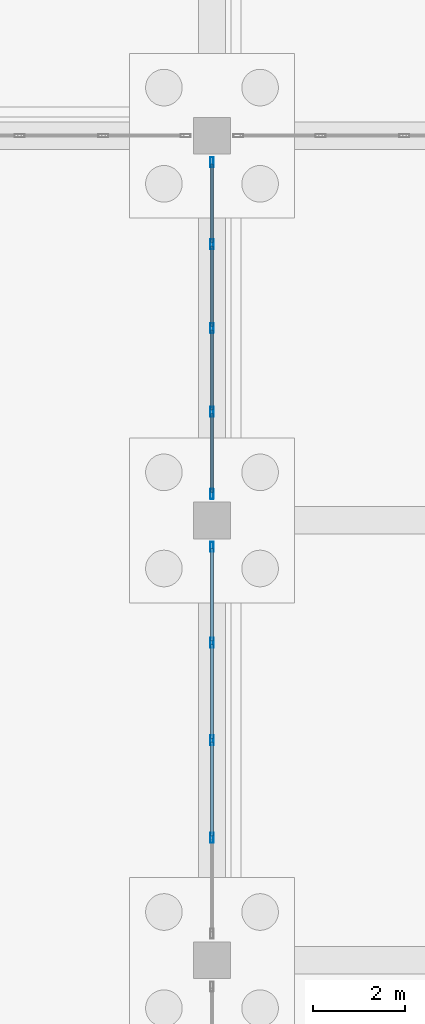
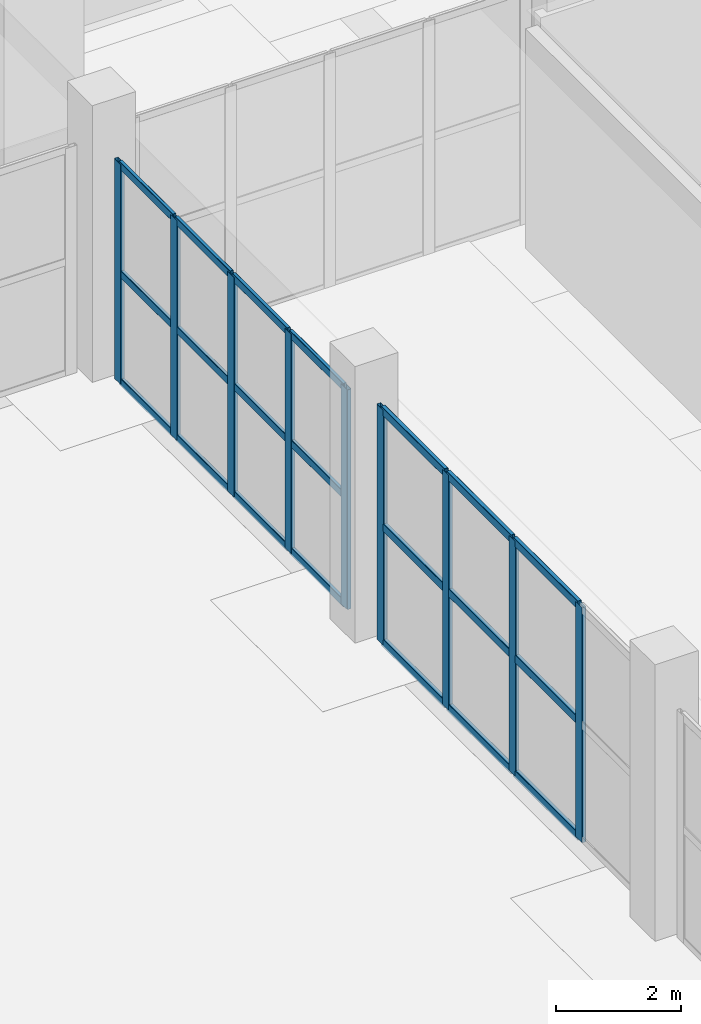
# One storey, part 22 of 65: 30 members, 2 elements without a shape of their own.
"""IFC4 building model written with IfcOpenShell, lengths in metres."""

from ifc_helpers import new_model, si_unit, direction, frame, origin, origin_2d, place, context, subcontext, project, spatial, hollow_rectangle, extrude, material, layer, layer_set, material_profile, profile_set, type_object, element, aggregate, save


model = new_model("IFC4")

# Units and contexts
model_context = context("Model", 3, precision=1e-05, world=origin(), true_north=direction((0.0, 1.0)))
body_context = subcontext(model_context, "Body", "Model", "MODEL_VIEW")
ifc_project = project(units=[si_unit("LENGTHUNIT", "METRE"), si_unit("AREAUNIT", "SQUARE_METRE"), si_unit("VOLUMEUNIT", "CUBIC_METRE"), si_unit("PLANEANGLEUNIT", "RADIAN"), si_unit("MASSUNIT", "GRAM", prefix="KILO")], contexts=[model_context])

# Site, building, storey
site_placement = place(None, origin())
site = spatial("IfcSite", under=ifc_project, at=site_placement, CompositionType="ELEMENT")
building_placement = place(site_placement, origin())
building = spatial("IfcBuilding", under=site, at=building_placement, Name="Zulmaris Art Gallery", CompositionType="ELEMENT")
storey_placement = place(building_placement, origin())
storey = spatial("IfcBuildingStorey", under=building, at=storey_placement, Name="L00", CompositionType="ELEMENT", Elevation=0.0)

# Curtain wall, members
ifc_material_1 = material(Name="Unitised Low-E Gallery Curtain Wall", Category="aluminium")
ifc_layer = layer(ifc_material_1, 0.179931640625)
ifc_layer_set = layer_set([ifc_layer], Name="Unitised Low-E Gallery Curtain Wall")
curtain_wall_type = type_object("IfcCurtainWallType", Name="CW-CW01", PredefinedType="NOTDEFINED", material=ifc_layer_set)
curtain_wall_1_placement = place(storey_placement, origin())
curtain_wall_1 = element("IfcCurtainWall", 1, at=curtain_wall_1_placement, inside=storey, type_object=curtain_wall_type, Name="L00 curtain wall 92", PredefinedType="NOTDEFINED")
ifc_material_2 = material(Name="Anodised Bronze Aluminium", Category="aluminium")
ifc_material_profile_1 = material_profile(ifc_material_2, hollow_rectangle(XDim=0.074951171875, YDim=0.219970703125, WallThickness=0.0048828125, InnerFilletRadius=0.007568359375, OuterFilletRadius=0.012451171875, at=origin_2d()), Name="ALU 75x220x5")
ifc_profile_set_1 = profile_set([ifc_material_profile_1], Name="Anodised Bronze Aluminium")
member_type_1 = type_object("IfcMemberType", Name="CWMUL-02", PredefinedType="MULLION", material=ifc_profile_set_1)
member_1_placement = place(storey_placement, frame((124.800048828125, 43.469970703125, 0.0), z_axis=(0.0, 0.0, 1.0), x_axis=(-1.0, 0.0, 0.0)))
member_1 = element("IfcMember", 2, at=member_1_placement, type_object=member_type_1, Name="CW01 mullion 2", PredefinedType="MULLION", context=body_context, shape_type="SweptSolid", body=[
    extrude(hollow_rectangle(XDim=0.074951171875, YDim=0.219970703125, WallThickness=0.0048828125, InnerFilletRadius=0.007568359375, OuterFilletRadius=0.012451171875, at=origin_2d()), origin(), (0.0, 0.0, 1.0), 4.590087890625),
])
member_2_placement = place(storey_placement, frame((124.800048828125, 45.60009765625, 0.0), z_axis=(0.0, 0.0, 1.0), x_axis=(-1.0, 0.0, 0.0)))
member_2 = element("IfcMember", 3, at=member_2_placement, type_object=member_type_1, Name="CW01 mullion 3", PredefinedType="MULLION", context=body_context, shape_type="SweptSolid", body=[
    extrude(hollow_rectangle(XDim=0.074951171875, YDim=0.219970703125, WallThickness=0.0048828125, InnerFilletRadius=0.007568359375, OuterFilletRadius=0.012451171875, at=origin_2d()), origin(), (0.0, 0.0, 1.0), 4.590087890625),
])
member_3_placement = place(storey_placement, frame((124.800048828125, 47.72998046875, 0.0), z_axis=(0.0, 0.0, 1.0), x_axis=(-1.0, 0.0, 0.0)))
member_3 = element("IfcMember", 4, at=member_3_placement, type_object=member_type_1, Name="CW01 mullion 4", PredefinedType="MULLION", context=body_context, shape_type="SweptSolid", body=[
    extrude(hollow_rectangle(XDim=0.074951171875, YDim=0.219970703125, WallThickness=0.0048828125, InnerFilletRadius=0.007568359375, OuterFilletRadius=0.012451171875, at=origin_2d()), origin(), (0.0, 0.0, 1.0), 4.590087890625),
])
member_4_placement = place(storey_placement, frame((124.800048828125, 49.822509765625, 0.0), z_axis=(0.0, 0.0, 1.0), x_axis=(-1.0, 0.0, 0.0)))
member_4 = element("IfcMember", 5, at=member_4_placement, type_object=member_type_1, Name="CW01 mullion 5", PredefinedType="MULLION", context=body_context, shape_type="SweptSolid", body=[
    extrude(hollow_rectangle(XDim=0.074951171875, YDim=0.219970703125, WallThickness=0.0048828125, InnerFilletRadius=0.007568359375, OuterFilletRadius=0.012451171875, at=origin_2d()), origin(), (0.0, 0.0, 1.0), 4.590087890625),
])

curtain_wall_2_placement = place(storey_placement, origin())
curtain_wall_2 = element("IfcCurtainWall", 6, at=curtain_wall_2_placement, inside=storey, type_object=curtain_wall_type, Name="L00 curtain wall 93", PredefinedType="NOTDEFINED")
member_5_placement = place(storey_placement, frame((124.800048828125, 50.9775390625, 0.0), z_axis=(0.0, 0.0, 1.0), x_axis=(-1.0, 0.0, 0.0)))
member_5 = element("IfcMember", 7, at=member_5_placement, type_object=member_type_1, Name="CW01 mullion 1", PredefinedType="MULLION", context=body_context, shape_type="SweptSolid", body=[
    extrude(hollow_rectangle(XDim=0.074951171875, YDim=0.219970703125, WallThickness=0.0048828125, InnerFilletRadius=0.007568359375, OuterFilletRadius=0.012451171875, at=origin_2d()), origin(), (0.0, 0.0, 1.0), 4.2900390625),
])
member_6_placement = place(storey_placement, frame((124.800048828125, 52.77001953125, 0.0), z_axis=(0.0, 0.0, 1.0), x_axis=(-1.0, 0.0, 0.0)))
member_6 = element("IfcMember", 8, at=member_6_placement, type_object=member_type_1, Name="CW01 mullion 2", PredefinedType="MULLION", context=body_context, shape_type="SweptSolid", body=[
    extrude(hollow_rectangle(XDim=0.074951171875, YDim=0.219970703125, WallThickness=0.0048828125, InnerFilletRadius=0.007568359375, OuterFilletRadius=0.012451171875, at=origin_2d()), origin(), (0.0, 0.0, 1.0), 4.2900390625),
])
member_7_placement = place(storey_placement, frame((124.800048828125, 54.60009765625, 0.0), z_axis=(0.0, 0.0, 1.0), x_axis=(-1.0, 0.0, 0.0)))
member_7 = element("IfcMember", 9, at=member_7_placement, type_object=member_type_1, Name="CW01 mullion 3", PredefinedType="MULLION", context=body_context, shape_type="SweptSolid", body=[
    extrude(hollow_rectangle(XDim=0.074951171875, YDim=0.219970703125, WallThickness=0.0048828125, InnerFilletRadius=0.007568359375, OuterFilletRadius=0.012451171875, at=origin_2d()), origin(), (0.0, 0.0, 1.0), 4.2900390625),
])
member_8_placement = place(storey_placement, frame((124.800048828125, 56.429931640625, 0.0), z_axis=(0.0, 0.0, 1.0), x_axis=(-1.0, 0.0, 0.0)))
member_8 = element("IfcMember", 10, at=member_8_placement, type_object=member_type_1, Name="CW01 mullion 4", PredefinedType="MULLION", context=body_context, shape_type="SweptSolid", body=[
    extrude(hollow_rectangle(XDim=0.074951171875, YDim=0.219970703125, WallThickness=0.0048828125, InnerFilletRadius=0.007568359375, OuterFilletRadius=0.012451171875, at=origin_2d()), origin(), (0.0, 0.0, 1.0), 4.2900390625),
])
member_9_placement = place(storey_placement, frame((124.800048828125, 58.222412109375, 0.0), z_axis=(0.0, 0.0, 1.0), x_axis=(-1.0, 0.0, 0.0)))
member_9 = element("IfcMember", 11, at=member_9_placement, type_object=member_type_1, Name="CW01 mullion 5", PredefinedType="MULLION", context=body_context, shape_type="SweptSolid", body=[
    extrude(hollow_rectangle(XDim=0.074951171875, YDim=0.219970703125, WallThickness=0.0048828125, InnerFilletRadius=0.007568359375, OuterFilletRadius=0.012451171875, at=origin_2d()), origin(), (0.0, 0.0, 1.0), 4.2900390625),
])
ifc_material_profile_2 = material_profile(ifc_material_2, hollow_rectangle(XDim=0.06494140625, YDim=0.14990234375, WallThickness=0.00390625, InnerFilletRadius=0.006103515625, OuterFilletRadius=0.010009765625, at=origin_2d()), Name="ALU 65x150x4")
ifc_profile_set_2 = profile_set([ifc_material_profile_2], Name="Anodised Bronze Aluminium")
member_type_2 = type_object("IfcMemberType", Name="CWTRN-01", PredefinedType="USERDEFINED", material=ifc_profile_set_2)
member_10_placement = place(storey_placement, frame((124.800048828125, 51.014892578125, 0.03759765625), z_axis=(0.0, 1.0, 0.0), x_axis=(-1.0, 0.0, 0.0)))
member_10 = element("IfcMember", 12, at=member_10_placement, type_object=member_type_2, Name="CW01 transom 1.1", ObjectType="TRANSOM", PredefinedType="USERDEFINED", context=body_context, shape_type="SweptSolid", body=[
    extrude(hollow_rectangle(XDim=0.06494140625, YDim=0.14990234375, WallThickness=0.00390625, InnerFilletRadius=0.006103515625, OuterFilletRadius=0.010009765625, at=origin_2d()), origin(), (0.0, 0.0, 1.0), 1.717529296875),
])
member_11_placement = place(storey_placement, frame((124.800048828125, 51.014892578125, 2.14501953125), z_axis=(0.0, 1.0, 0.0), x_axis=(-1.0, 0.0, 0.0)))
member_11 = element("IfcMember", 13, at=member_11_placement, type_object=member_type_2, Name="CW01 transom 1.2", ObjectType="TRANSOM", PredefinedType="USERDEFINED", context=body_context, shape_type="SweptSolid", body=[
    extrude(hollow_rectangle(XDim=0.06494140625, YDim=0.14990234375, WallThickness=0.00390625, InnerFilletRadius=0.006103515625, OuterFilletRadius=0.010009765625, at=origin_2d()), origin(), (0.0, 0.0, 1.0), 1.717529296875),
])
member_12_placement = place(storey_placement, frame((124.800048828125, 51.014892578125, 4.25244140625), z_axis=(0.0, 1.0, 0.0), x_axis=(-1.0, 0.0, 0.0)))
member_12 = element("IfcMember", 14, at=member_12_placement, type_object=member_type_2, Name="CW01 transom 1.3", ObjectType="TRANSOM", PredefinedType="USERDEFINED", context=body_context, shape_type="SweptSolid", body=[
    extrude(hollow_rectangle(XDim=0.06494140625, YDim=0.14990234375, WallThickness=0.00390625, InnerFilletRadius=0.006103515625, OuterFilletRadius=0.010009765625, at=origin_2d()), origin(), (0.0, 0.0, 1.0), 1.717529296875),
])
member_13_placement = place(storey_placement, frame((124.800048828125, 52.8076171875, 0.03759765625), z_axis=(0.0, 1.0, 0.0), x_axis=(-1.0, 0.0, 0.0)))
member_13 = element("IfcMember", 15, at=member_13_placement, type_object=member_type_2, Name="CW01 transom 2.1", ObjectType="TRANSOM", PredefinedType="USERDEFINED", context=body_context, shape_type="SweptSolid", body=[
    extrude(hollow_rectangle(XDim=0.06494140625, YDim=0.14990234375, WallThickness=0.00390625, InnerFilletRadius=0.006103515625, OuterFilletRadius=0.010009765625, at=origin_2d()), origin(), (0.0, 0.0, 1.0), 1.7548828125),
])
member_14_placement = place(storey_placement, frame((124.800048828125, 52.8076171875, 2.14501953125), z_axis=(0.0, 1.0, 0.0), x_axis=(-1.0, 0.0, 0.0)))
member_14 = element("IfcMember", 16, at=member_14_placement, type_object=member_type_2, Name="CW01 transom 2.2", ObjectType="TRANSOM", PredefinedType="USERDEFINED", context=body_context, shape_type="SweptSolid", body=[
    extrude(hollow_rectangle(XDim=0.06494140625, YDim=0.14990234375, WallThickness=0.00390625, InnerFilletRadius=0.006103515625, OuterFilletRadius=0.010009765625, at=origin_2d()), origin(), (0.0, 0.0, 1.0), 1.7548828125),
])
member_15_placement = place(storey_placement, frame((124.800048828125, 52.8076171875, 4.25244140625), z_axis=(0.0, 1.0, 0.0), x_axis=(-1.0, 0.0, 0.0)))
member_15 = element("IfcMember", 17, at=member_15_placement, type_object=member_type_2, Name="CW01 transom 2.3", ObjectType="TRANSOM", PredefinedType="USERDEFINED", context=body_context, shape_type="SweptSolid", body=[
    extrude(hollow_rectangle(XDim=0.06494140625, YDim=0.14990234375, WallThickness=0.00390625, InnerFilletRadius=0.006103515625, OuterFilletRadius=0.010009765625, at=origin_2d()), origin(), (0.0, 0.0, 1.0), 1.7548828125),
])
member_16_placement = place(storey_placement, frame((124.800048828125, 54.637451171875, 0.03759765625), z_axis=(0.0, 1.0, 0.0), x_axis=(-1.0, 0.0, 0.0)))
member_16 = element("IfcMember", 18, at=member_16_placement, type_object=member_type_2, Name="CW01 transom 3.1", ObjectType="TRANSOM", PredefinedType="USERDEFINED", context=body_context, shape_type="SweptSolid", body=[
    extrude(hollow_rectangle(XDim=0.06494140625, YDim=0.14990234375, WallThickness=0.00390625, InnerFilletRadius=0.006103515625, OuterFilletRadius=0.010009765625, at=origin_2d()), origin(), (0.0, 0.0, 1.0), 1.755126953125),
])
member_17_placement = place(storey_placement, frame((124.800048828125, 54.637451171875, 2.14501953125), z_axis=(0.0, 1.0, 0.0), x_axis=(-1.0, 0.0, 0.0)))
member_17 = element("IfcMember", 19, at=member_17_placement, type_object=member_type_2, Name="CW01 transom 3.2", ObjectType="TRANSOM", PredefinedType="USERDEFINED", context=body_context, shape_type="SweptSolid", body=[
    extrude(hollow_rectangle(XDim=0.06494140625, YDim=0.14990234375, WallThickness=0.00390625, InnerFilletRadius=0.006103515625, OuterFilletRadius=0.010009765625, at=origin_2d()), origin(), (0.0, 0.0, 1.0), 1.755126953125),
])
member_18_placement = place(storey_placement, frame((124.800048828125, 54.637451171875, 4.25244140625), z_axis=(0.0, 1.0, 0.0), x_axis=(-1.0, 0.0, 0.0)))
member_18 = element("IfcMember", 20, at=member_18_placement, type_object=member_type_2, Name="CW01 transom 3.3", ObjectType="TRANSOM", PredefinedType="USERDEFINED", context=body_context, shape_type="SweptSolid", body=[
    extrude(hollow_rectangle(XDim=0.06494140625, YDim=0.14990234375, WallThickness=0.00390625, InnerFilletRadius=0.006103515625, OuterFilletRadius=0.010009765625, at=origin_2d()), origin(), (0.0, 0.0, 1.0), 1.755126953125),
])
member_19_placement = place(storey_placement, frame((124.800048828125, 56.467529296875, 0.03759765625), z_axis=(0.0, 1.0, 0.0), x_axis=(-1.0, 0.0, 0.0)))
member_19 = element("IfcMember", 21, at=member_19_placement, type_object=member_type_2, Name="CW01 transom 4.1", ObjectType="TRANSOM", PredefinedType="USERDEFINED", context=body_context, shape_type="SweptSolid", body=[
    extrude(hollow_rectangle(XDim=0.06494140625, YDim=0.14990234375, WallThickness=0.00390625, InnerFilletRadius=0.006103515625, OuterFilletRadius=0.010009765625, at=origin_2d()), origin(), (0.0, 0.0, 1.0), 1.717529296875),
])
member_20_placement = place(storey_placement, frame((124.800048828125, 56.467529296875, 2.14501953125), z_axis=(0.0, 1.0, 0.0), x_axis=(-1.0, 0.0, 0.0)))
member_20 = element("IfcMember", 22, at=member_20_placement, type_object=member_type_2, Name="CW01 transom 4.2", ObjectType="TRANSOM", PredefinedType="USERDEFINED", context=body_context, shape_type="SweptSolid", body=[
    extrude(hollow_rectangle(XDim=0.06494140625, YDim=0.14990234375, WallThickness=0.00390625, InnerFilletRadius=0.006103515625, OuterFilletRadius=0.010009765625, at=origin_2d()), origin(), (0.0, 0.0, 1.0), 1.717529296875),
])
member_21_placement = place(storey_placement, frame((124.800048828125, 56.467529296875, 4.25244140625), z_axis=(0.0, 1.0, 0.0), x_axis=(-1.0, 0.0, 0.0)))
member_21 = element("IfcMember", 23, at=member_21_placement, type_object=member_type_2, Name="CW01 transom 4.3", ObjectType="TRANSOM", PredefinedType="USERDEFINED", context=body_context, shape_type="SweptSolid", body=[
    extrude(hollow_rectangle(XDim=0.06494140625, YDim=0.14990234375, WallThickness=0.00390625, InnerFilletRadius=0.006103515625, OuterFilletRadius=0.010009765625, at=origin_2d()), origin(), (0.0, 0.0, 1.0), 1.717529296875),
])
aggregate(curtain_wall_2, [member_5, member_6, member_7, member_8, member_9, member_10, member_11, member_12, member_13, member_14, member_15, member_16, member_17, member_18, member_19, member_20, member_21])

# Member
ifc_material_profile_3 = material_profile(ifc_material_2, hollow_rectangle(XDim=0.074951171875, YDim=0.159912109375, WallThickness=0.00390625, InnerFilletRadius=0.006103515625, OuterFilletRadius=0.010009765625, at=origin_2d()), Name="ALU 75x160x4")
ifc_profile_set_3 = profile_set([ifc_material_profile_3], Name="Anodised Bronze Aluminium")
member_type_3 = type_object("IfcMemberType", Name="CWTRN-02", PredefinedType="USERDEFINED", material=ifc_profile_set_3)
member_22_placement = place(storey_placement, frame((124.800048828125, 43.507568359375, 0.03759765625), z_axis=(0.0, 1.0, 0.0), x_axis=(-1.0, 0.0, 0.0)))
member_22 = element("IfcMember", 24, at=member_22_placement, type_object=member_type_3, Name="CW01 transom 2.1", ObjectType="TRANSOM", PredefinedType="USERDEFINED", context=body_context, shape_type="SweptSolid", body=[
    extrude(hollow_rectangle(XDim=0.074951171875, YDim=0.159912109375, WallThickness=0.00390625, InnerFilletRadius=0.006103515625, OuterFilletRadius=0.010009765625, at=origin_2d()), origin(), (0.0, 0.0, 1.0), 2.054931640625),
])

member_23_placement = place(storey_placement, frame((124.800048828125, 43.507568359375, 2.294921875), z_axis=(0.0, 1.0, 0.0), x_axis=(-1.0, 0.0, 0.0)))
member_23 = element("IfcMember", 25, at=member_23_placement, type_object=member_type_3, Name="CW01 transom 2.2", ObjectType="TRANSOM", PredefinedType="USERDEFINED", context=body_context, shape_type="SweptSolid", body=[
    extrude(hollow_rectangle(XDim=0.074951171875, YDim=0.159912109375, WallThickness=0.00390625, InnerFilletRadius=0.006103515625, OuterFilletRadius=0.010009765625, at=origin_2d()), origin(), (0.0, 0.0, 1.0), 2.054931640625),
])

member_24_placement = place(storey_placement, frame((124.800048828125, 43.507568359375, 4.552490234375), z_axis=(0.0, 1.0, 0.0), x_axis=(-1.0, 0.0, 0.0)))
member_24 = element("IfcMember", 26, at=member_24_placement, type_object=member_type_3, Name="CW01 transom 2.3", ObjectType="TRANSOM", PredefinedType="USERDEFINED", context=body_context, shape_type="SweptSolid", body=[
    extrude(hollow_rectangle(XDim=0.074951171875, YDim=0.159912109375, WallThickness=0.00390625, InnerFilletRadius=0.006103515625, OuterFilletRadius=0.010009765625, at=origin_2d()), origin(), (0.0, 0.0, 1.0), 2.054931640625),
])

member_25_placement = place(storey_placement, frame((124.800048828125, 45.637451171875, 0.03759765625), z_axis=(0.0, 1.0, 0.0), x_axis=(-1.0, 0.0, 0.0)))
member_25 = element("IfcMember", 27, at=member_25_placement, type_object=member_type_3, Name="CW01 transom 3.1", ObjectType="TRANSOM", PredefinedType="USERDEFINED", context=body_context, shape_type="SweptSolid", body=[
    extrude(hollow_rectangle(XDim=0.074951171875, YDim=0.159912109375, WallThickness=0.00390625, InnerFilletRadius=0.006103515625, OuterFilletRadius=0.010009765625, at=origin_2d()), origin(), (0.0, 0.0, 1.0), 2.054931640625),
])

member_26_placement = place(storey_placement, frame((124.800048828125, 45.637451171875, 2.294921875), z_axis=(0.0, 1.0, 0.0), x_axis=(-1.0, 0.0, 0.0)))
member_26 = element("IfcMember", 28, at=member_26_placement, type_object=member_type_3, Name="CW01 transom 3.2", ObjectType="TRANSOM", PredefinedType="USERDEFINED", context=body_context, shape_type="SweptSolid", body=[
    extrude(hollow_rectangle(XDim=0.074951171875, YDim=0.159912109375, WallThickness=0.00390625, InnerFilletRadius=0.006103515625, OuterFilletRadius=0.010009765625, at=origin_2d()), origin(), (0.0, 0.0, 1.0), 2.054931640625),
])

member_27_placement = place(storey_placement, frame((124.800048828125, 45.637451171875, 4.552490234375), z_axis=(0.0, 1.0, 0.0), x_axis=(-1.0, 0.0, 0.0)))
member_27 = element("IfcMember", 29, at=member_27_placement, type_object=member_type_3, Name="CW01 transom 3.3", ObjectType="TRANSOM", PredefinedType="USERDEFINED", context=body_context, shape_type="SweptSolid", body=[
    extrude(hollow_rectangle(XDim=0.074951171875, YDim=0.159912109375, WallThickness=0.00390625, InnerFilletRadius=0.006103515625, OuterFilletRadius=0.010009765625, at=origin_2d()), origin(), (0.0, 0.0, 1.0), 2.054931640625),
])

member_28_placement = place(storey_placement, frame((124.800048828125, 47.767578125, 0.03759765625), z_axis=(0.0, 1.0, 0.0), x_axis=(-1.0, 0.0, 0.0)))
member_28 = element("IfcMember", 30, at=member_28_placement, type_object=member_type_3, Name="CW01 transom 4.1", ObjectType="TRANSOM", PredefinedType="USERDEFINED", context=body_context, shape_type="SweptSolid", body=[
    extrude(hollow_rectangle(XDim=0.074951171875, YDim=0.159912109375, WallThickness=0.00390625, InnerFilletRadius=0.006103515625, OuterFilletRadius=0.010009765625, at=origin_2d()), origin(), (0.0, 0.0, 1.0), 2.017333984375),
])

member_29_placement = place(storey_placement, frame((124.800048828125, 47.767578125, 2.294921875), z_axis=(0.0, 1.0, 0.0), x_axis=(-1.0, 0.0, 0.0)))
member_29 = element("IfcMember", 31, at=member_29_placement, type_object=member_type_3, Name="CW01 transom 4.2", ObjectType="TRANSOM", PredefinedType="USERDEFINED", context=body_context, shape_type="SweptSolid", body=[
    extrude(hollow_rectangle(XDim=0.074951171875, YDim=0.159912109375, WallThickness=0.00390625, InnerFilletRadius=0.006103515625, OuterFilletRadius=0.010009765625, at=origin_2d()), origin(), (0.0, 0.0, 1.0), 2.017333984375),
])

member_30_placement = place(storey_placement, frame((124.800048828125, 47.767578125, 4.552490234375), z_axis=(0.0, 1.0, 0.0), x_axis=(-1.0, 0.0, 0.0)))
member_30 = element("IfcMember", 32, at=member_30_placement, type_object=member_type_3, Name="CW01 transom 4.3", ObjectType="TRANSOM", PredefinedType="USERDEFINED", context=body_context, shape_type="SweptSolid", body=[
    extrude(hollow_rectangle(XDim=0.074951171875, YDim=0.159912109375, WallThickness=0.00390625, InnerFilletRadius=0.006103515625, OuterFilletRadius=0.010009765625, at=origin_2d()), origin(), (0.0, 0.0, 1.0), 2.017333984375),
])

aggregate(curtain_wall_1, [member_1, member_2, member_3, member_4, member_22, member_23, member_24, member_25, member_26, member_27, member_28, member_29, member_30])

save(model, "model.ifc")
